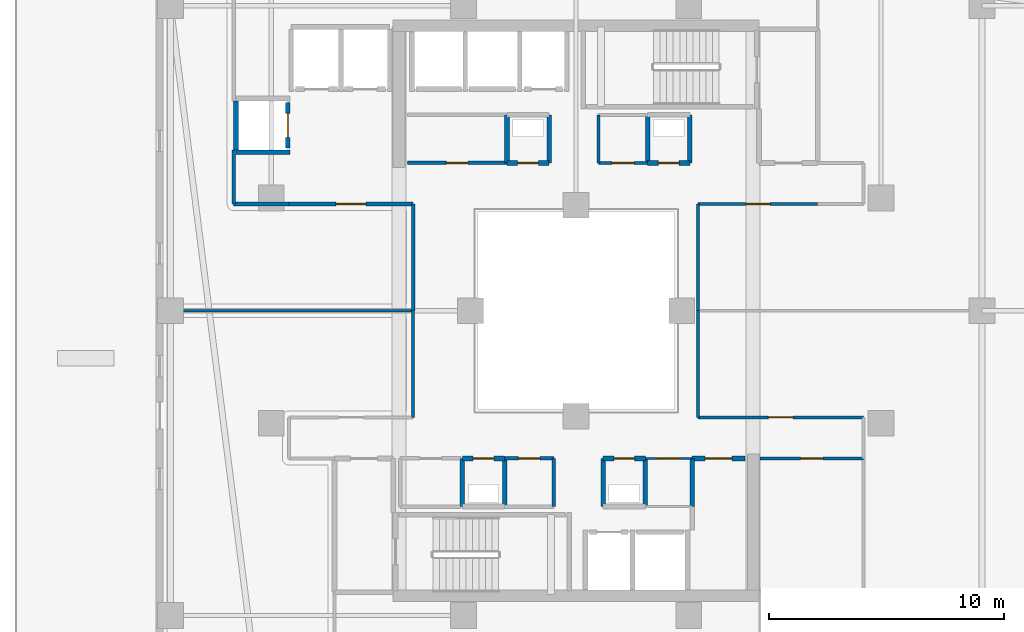
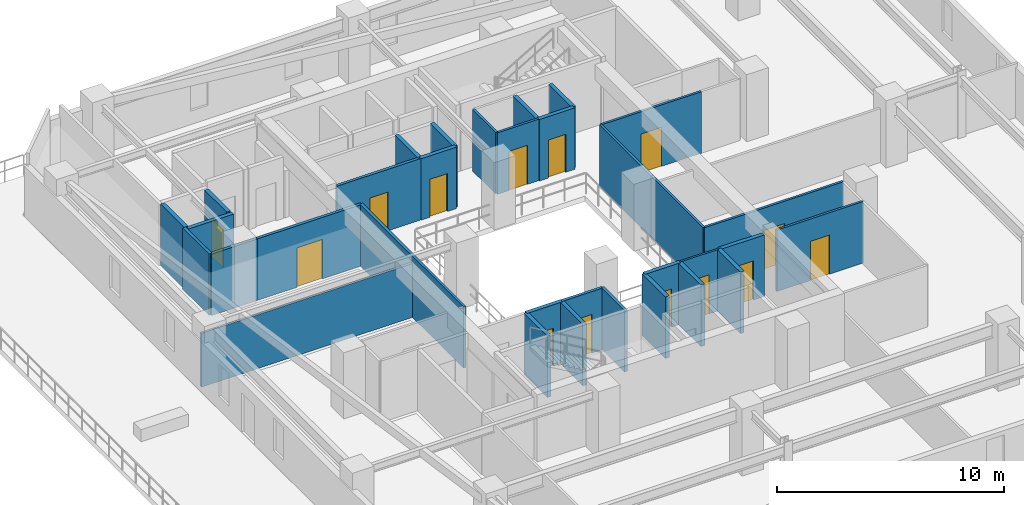
# One storey, part 19 of 30: 34 walls, 14 doors, 14 openings.
"""IFC4 building model written with IfcOpenShell, lengths in metres."""

from ifc_helpers import new_model, si_unit, direction, frame, frame_2d, origin, place, context, subcontext, project, spatial, rectangle, extrude, material, layer, layer_set, type_object, element, fill, save


model = new_model("IFC4")

# Units and contexts
model_context = context("Model", 3, precision=1e-05, world=origin(), true_north=direction((0.0, 1.0)))
body_context = subcontext(model_context, "Body", "Model", "MODEL_VIEW")
ifc_project = project(units=[si_unit("LENGTHUNIT", "METRE"), si_unit("AREAUNIT", "SQUARE_METRE"), si_unit("VOLUMEUNIT", "CUBIC_METRE"), si_unit("PLANEANGLEUNIT", "RADIAN"), si_unit("MASSUNIT", "GRAM", prefix="KILO")], contexts=[model_context])

# Site, building, storey
site_placement = place(None, origin())
site = spatial("IfcSite", under=ifc_project, at=site_placement, CompositionType="ELEMENT")
building_placement = place(site_placement, origin())
building = spatial("IfcBuilding", under=site, at=building_placement, Name="Thornwick Lancets Civic Towers", CompositionType="ELEMENT")
storey_placement = place(building_placement, frame((0.0, 0.0, 149.10009765625)))
storey = spatial("IfcBuildingStorey", under=building, at=storey_placement, Name="L39", CompositionType="ELEMENT", Elevation=149.10009765625)

# Wall, opening, door
ifc_material_1 = material(Name="Concrete blockwork C40/50", Category="masonry")
ifc_layer_1 = layer(ifc_material_1, 0.199951171875, Name="Concrete blockwork C40/50")
ifc_layer_set_1 = layer_set([ifc_layer_1], Name="Concrete blockwork C40/50")
wall_type_1 = type_object("IfcWallType", Name="WALL_COMP_200", PredefinedType="STANDARD", material=ifc_layer_set_1)
wall_1_placement = place(storey_placement, frame((13.199951171875, 33.929931640625, 0.0), z_axis=(0.0, 0.0, 1.0), x_axis=(0.0, 1.0, 0.0)))
wall_1 = element("IfcWall", 1, at=wall_1_placement, inside=storey, type_object=wall_type_1, Name="L39 Hoistway Front Wall PL-AM3", PredefinedType="STANDARD", context=body_context, shape_type="SweptSolid", body=[
    extrude(rectangle(XDim=1.940185546875, YDim=0.199951171875, at=frame_2d((0.97021484375, 0.0))), origin(), (0.0, 0.0, 1.0), 3.2998046875),
])
opening_1_placement = place(wall_1_placement, frame((0.4599609375, 0.0, 0.0)))
opening_1 = element("IfcOpeningElement", 2, at=opening_1_placement, cuts=wall_1, Name="Opening LD-PL-AM3", PredefinedType="OPENING", context=body_context, shape_type="SweptSolid", body=[
    extrude(rectangle(XDim=1.02001953125, YDim=2.06005859375, at=frame_2d((0.510009765625, 1.030029296875))), frame((0.0, 0.10986328125, 0.0), z_axis=(0.0, -1.0, 0.0), x_axis=(1.0, 0.0, 0.0)), (0.0, 0.0, 1.0), 0.219970703125),
])
ifc_material_2 = material(Name="Brushed bronze stainless steel", Category="steel")
door_type_1 = type_object("IfcDoorType", Name="DOOR_LIFT_SLIDE", OperationType="SLIDING_TO_LEFT", PredefinedType="DOOR", material=ifc_material_2)
door_1_placement = place(opening_1_placement, origin())
door_1 = element("IfcDoor", 3, at=door_1_placement, inside=storey, type_object=door_type_1, Name="L39 Sliding Lift Landing Door LD-PL-AM3", OperationType="SLIDING_TO_LEFT", OverallHeight=2.06005859375, OverallWidth=1.02001953125, PredefinedType="DOOR", context=body_context, shape_type="SweptSolid", body=[
    extrude(rectangle(XDim=1.02001953125, YDim=2.06005859375, at=frame_2d((0.510009765625, 1.030029296875))), frame((0.0, 0.02490234375, 0.0), z_axis=(0.0, -1.0, 0.0), x_axis=(1.0, 0.0, 0.0)), (0.0, 0.0, 1.0), 0.050048828125),
])
fill(opening_1, door_1)

# Walls
wall_2_placement = place(storey_placement, frame((11.001953125, 33.75, 0.0), z_axis=(0.0, 0.0, 1.0), x_axis=(1.0, 0.0, 0.0)))
element("IfcWall", 4, at=wall_2_placement, inside=storey, type_object=wall_type_1, Name="L39 Hoistway Shaft Wall PL-AM3 S", PredefinedType="STANDARD", context=body_context, shape_type="SweptSolid", body=[
    extrude(rectangle(XDim=2.296142578125, YDim=0.199951171875, at=frame_2d((1.14794921875, 0.0))), origin(), (0.0, 0.0, 1.0), 3.2998046875),
])
wall_3_placement = place(storey_placement, frame((11.0, 33.862060546875, 0.0), z_axis=(0.0, 0.0, 1.0), x_axis=(0.0, 1.0, 0.0)))
element("IfcWall", 5, at=wall_3_placement, inside=storey, type_object=wall_type_1, Name="L39 Hoistway Shaft Wall PL-AM3 W", PredefinedType="STANDARD", context=body_context, shape_type="SweptSolid", body=[
    extrude(rectangle(XDim=2.075927734375, YDim=0.199951171875, at=frame_2d((1.0380859375, 0.0))), origin(), (0.0, 0.0, 1.0), 3.2998046875),
])
wall_4_placement = place(storey_placement, frame((28.449951171875, 18.64990234375, 0.0), z_axis=(0.0, 0.0, 1.0), x_axis=(0.0, 1.0, 0.0)))
element("IfcWall", 6, at=wall_4_placement, inside=storey, type_object=wall_type_1, Name="L39 Partition L39-A-DUCT1 E2", PredefinedType="STANDARD", context=body_context, shape_type="SweptSolid", body=[
    extrude(rectangle(XDim=2.050048828125, YDim=0.199951171875, at=frame_2d((1.02490234375, 0.0))), origin(), (0.0, 0.0, 1.0), 3.2998046875),
])

# Wall, opening, door
wall_5_placement = place(storey_placement, frame((28.449951171875, 20.699951171875, 0.0), z_axis=(0.0, 0.0, 1.0), x_axis=(-1.0, 0.0, 0.0)))
wall_5 = element("IfcWall", 7, at=wall_5_placement, inside=storey, type_object=wall_type_1, Name="L39 Partition L39-A-DUCT1 E3", PredefinedType="STANDARD", context=body_context, shape_type="SweptSolid", body=[
    extrude(rectangle(XDim=1.800048828125, YDim=0.199951171875, at=frame_2d((0.89990234375, 0.0))), origin(), (0.0, 0.0, 1.0), 3.2998046875),
])
opening_2_placement = place(wall_5_placement, frame((0.4599609375, 0.0, 0.0)))
opening_2 = element("IfcOpeningElement", 8, at=opening_2_placement, cuts=wall_5, Name="Opening D-L39-1757", PredefinedType="OPENING", context=body_context, shape_type="SweptSolid", body=[
    extrude(rectangle(XDim=0.8798828125, YDim=2.0400390625, at=frame_2d((0.43994140625, 1.02001953125))), frame((0.0, 0.10986328125, 0.0), z_axis=(0.0, -1.0, 0.0), x_axis=(1.0, 0.0, 0.0)), (0.0, 0.0, 1.0), 0.219970703125),
])
ifc_material_3 = material(Name="Steel riser access doorset", Category="steel")
door_type_2 = type_object("IfcDoorType", Name="DOOR_RISER_850", OperationType="NOTDEFINED", PredefinedType="DOOR", material=ifc_material_3)
door_2_placement = place(opening_2_placement, origin())
door_2 = element("IfcDoor", 9, at=door_2_placement, inside=storey, type_object=door_type_2, Name="L39 South Service Duct 1 Door", OperationType="SINGLE_SWING_RIGHT", OverallHeight=2.0400390625, OverallWidth=0.8798828125, PredefinedType="DOOR", context=body_context, shape_type="SweptSolid", body=[
    extrude(rectangle(XDim=0.8798828125, YDim=2.0400390625, at=frame_2d((0.43994140625, 1.02001953125))), frame((0.0, 0.02490234375, 0.0), z_axis=(0.0, -1.0, 0.0), x_axis=(1.0, 0.0, 0.0)), (0.0, 0.0, 1.0), 0.050048828125),
])
fill(opening_2, door_2)

# Walls
for number, where, z_axis, x_axis, name in (
    (10, (26.64990234375, 20.699951171875, 0.0), (0.0, 0.0, 1.0), (0.0, -1.0, 0.0), "L39 Partition L39-A-DUCT1 E4"),
    (11, (22.449951171875, 18.64990234375, 0.0), (0.0, 0.0, 1.0), (0.0, 1.0, 0.0), "L39 Partition L39-A-RISER1 E2"),
):
    element("IfcWall", number, at=place(storey_placement, frame(where, z_axis=z_axis, x_axis=x_axis)), inside=storey, type_object=wall_type_1, Name=name, PredefinedType="STANDARD", context=body_context, shape_type="SweptSolid", body=[
        extrude(rectangle(XDim=2.050048828125, YDim=0.199951171875, at=frame_2d((1.02490234375, 0.0))), origin(), (0.0, 0.0, 1.0), 3.2998046875),
    ])

# Wall, opening, door
wall_6_placement = place(storey_placement, frame((22.449951171875, 20.699951171875, 0.0), z_axis=(0.0, 0.0, 1.0), x_axis=(-1.0, 0.0, 0.0)))
wall_6 = element("IfcWall", 12, at=wall_6_placement, inside=storey, type_object=wall_type_1, Name="L39 Partition L39-A-RISER1 E3", PredefinedType="STANDARD", context=body_context, shape_type="SweptSolid", body=[
    extrude(rectangle(XDim=1.800048828125, YDim=0.199951171875, at=frame_2d((0.89990234375, 0.0))), origin(), (0.0, 0.0, 1.0), 3.2998046875),
])
opening_3_placement = place(wall_6_placement, frame((0.4599609375, 0.0, 0.0)))
opening_3 = element("IfcOpeningElement", 13, at=opening_3_placement, cuts=wall_6, Name="Opening D-L39-1758", PredefinedType="OPENING", context=body_context, shape_type="SweptSolid", body=[
    extrude(rectangle(XDim=0.8798828125, YDim=2.0400390625, at=frame_2d((0.43994140625, 1.02001953125))), frame((0.0, 0.10986328125, 0.0), z_axis=(0.0, -1.0, 0.0), x_axis=(1.0, 0.0, 0.0)), (0.0, 0.0, 1.0), 0.219970703125),
])
door_3_placement = place(opening_3_placement, origin())
door_3 = element("IfcDoor", 14, at=door_3_placement, inside=storey, type_object=door_type_2, Name="L39 South Electrical Riser 1 Door", OperationType="SINGLE_SWING_LEFT", OverallHeight=2.0400390625, OverallWidth=0.8798828125, PredefinedType="DOOR", context=body_context, shape_type="SweptSolid", body=[
    extrude(rectangle(XDim=0.8798828125, YDim=2.0400390625, at=frame_2d((0.43994140625, 1.02001953125))), frame((0.0, 0.02490234375, 0.0), z_axis=(0.0, -1.0, 0.0), x_axis=(1.0, 0.0, 0.0)), (0.0, 0.0, 1.0), 0.050048828125),
])
fill(opening_3, door_3)

# Wall
wall_7_placement = place(storey_placement, frame((20.64990234375, 20.699951171875, 0.0), z_axis=(0.0, 0.0, 1.0), x_axis=(0.0, -1.0, 0.0)))
element("IfcWall", 15, at=wall_7_placement, inside=storey, type_object=wall_type_1, Name="L39 Partition L39-A-RISER1 E4", PredefinedType="STANDARD", context=body_context, shape_type="SweptSolid", body=[
    extrude(rectangle(XDim=2.050048828125, YDim=0.199951171875, at=frame_2d((1.02490234375, 0.0))), origin(), (0.0, 0.0, 1.0), 3.2998046875),
])

# Wall, opening, door
wall_8_placement = place(storey_placement, frame((22.550048828125, 33.300048828125, 0.0), z_axis=(0.0, 0.0, 1.0), x_axis=(1.0, 0.0, 0.0)))
wall_8 = element("IfcWall", 16, at=wall_8_placement, inside=storey, type_object=wall_type_1, Name="L39 Partition L39-A-DUCT2 E1", PredefinedType="STANDARD", context=body_context, shape_type="SweptSolid", body=[
    extrude(rectangle(XDim=1.800048828125, YDim=0.199951171875, at=frame_2d((0.89990234375, 0.0))), origin(), (0.0, 0.0, 1.0), 3.2998046875),
])
opening_4_placement = place(wall_8_placement, frame((0.4599609375, 0.0, 0.0)))
opening_4 = element("IfcOpeningElement", 17, at=opening_4_placement, cuts=wall_8, Name="Opening D-L39-1759", PredefinedType="OPENING", context=body_context, shape_type="SweptSolid", body=[
    extrude(rectangle(XDim=0.8798828125, YDim=2.0400390625, at=frame_2d((0.43994140625, 1.02001953125))), frame((0.0, 0.10986328125, 0.0), z_axis=(0.0, -1.0, 0.0), x_axis=(1.0, 0.0, 0.0)), (0.0, 0.0, 1.0), 0.219970703125),
])
door_4_placement = place(opening_4_placement, origin())
door_4 = element("IfcDoor", 18, at=door_4_placement, inside=storey, type_object=door_type_2, Name="L39 North Service Duct 2 Door", OperationType="SINGLE_SWING_RIGHT", OverallHeight=2.0400390625, OverallWidth=0.8798828125, PredefinedType="DOOR", context=body_context, shape_type="SweptSolid", body=[
    extrude(rectangle(XDim=0.8798828125, YDim=2.0400390625, at=frame_2d((0.43994140625, 1.02001953125))), frame((0.0, 0.02490234375, 0.0), z_axis=(0.0, -1.0, 0.0), x_axis=(1.0, 0.0, 0.0)), (0.0, 0.0, 1.0), 0.050048828125),
])
fill(opening_4, door_4)

# Walls
for number, where, z_axis, x_axis, name in (
    (19, (24.35009765625, 33.300048828125, 0.0), (0.0, 0.0, 1.0), (0.0, 1.0, 0.0), "L39 Partition L39-A-DUCT2 E2"),
    (20, (22.550048828125, 35.35009765625, 0.0), (0.0, 0.0, 1.0), (0.0, -1.0, 0.0), "L39 Partition L39-A-DUCT2 E4"),
):
    element("IfcWall", number, at=place(storey_placement, frame(where, z_axis=z_axis, x_axis=x_axis)), inside=storey, type_object=wall_type_1, Name=name, PredefinedType="STANDARD", context=body_context, shape_type="SweptSolid", body=[
        extrude(rectangle(XDim=2.050048828125, YDim=0.199951171875, at=frame_2d((1.02490234375, 0.0))), origin(), (0.0, 0.0, 1.0), 3.2998046875),
    ])

# Wall, opening, door
wall_9_placement = place(storey_placement, frame((28.550048828125, 33.300048828125, 0.0), z_axis=(0.0, 0.0, 1.0), x_axis=(1.0, 0.0, 0.0)))
wall_9 = element("IfcWall", 21, at=wall_9_placement, inside=storey, type_object=wall_type_1, Name="L39 Partition L39-A-RISER2 E1", PredefinedType="STANDARD", context=body_context, shape_type="SweptSolid", body=[
    extrude(rectangle(XDim=1.800048828125, YDim=0.199951171875, at=frame_2d((0.89990234375, 0.0))), origin(), (0.0, 0.0, 1.0), 3.2998046875),
])
opening_5_placement = place(wall_9_placement, frame((0.4599609375, 0.0, 0.0)))
opening_5 = element("IfcOpeningElement", 22, at=opening_5_placement, cuts=wall_9, Name="Opening D-L39-1760", PredefinedType="OPENING", context=body_context, shape_type="SweptSolid", body=[
    extrude(rectangle(XDim=0.8798828125, YDim=2.0400390625, at=frame_2d((0.43994140625, 1.02001953125))), frame((0.0, 0.10986328125, 0.0), z_axis=(0.0, -1.0, 0.0), x_axis=(1.0, 0.0, 0.0)), (0.0, 0.0, 1.0), 0.219970703125),
])
door_5_placement = place(opening_5_placement, origin())
door_5 = element("IfcDoor", 23, at=door_5_placement, inside=storey, type_object=door_type_2, Name="L39 North Service Riser 2 Door", OperationType="SINGLE_SWING_LEFT", OverallHeight=2.0400390625, OverallWidth=0.8798828125, PredefinedType="DOOR", context=body_context, shape_type="SweptSolid", body=[
    extrude(rectangle(XDim=0.8798828125, YDim=2.0400390625, at=frame_2d((0.43994140625, 1.02001953125))), frame((0.0, 0.02490234375, 0.0), z_axis=(0.0, -1.0, 0.0), x_axis=(1.0, 0.0, 0.0)), (0.0, 0.0, 1.0), 0.050048828125),
])
fill(opening_5, door_5)

# Walls
for number, where, z_axis, x_axis, name in (
    (24, (30.35009765625, 33.300048828125, 0.0), (0.0, 0.0, 1.0), (0.0, 1.0, 0.0), "L39 Partition L39-A-RISER2 E2"),
    (25, (28.550048828125, 35.35009765625, 0.0), (0.0, 0.0, 1.0), (0.0, -1.0, 0.0), "L39 Partition L39-A-RISER2 E4"),
    (26, (30.449951171875, 18.64990234375, 0.0), (0.0, 0.0, 1.0), (0.0, 1.0, 0.0), "L39 Partition L39-A-ITR2 E4"),
):
    element("IfcWall", number, at=place(storey_placement, frame(where, z_axis=z_axis, x_axis=x_axis)), inside=storey, type_object=wall_type_1, Name=name, PredefinedType="STANDARD", context=body_context, shape_type="SweptSolid", body=[
        extrude(rectangle(XDim=2.050048828125, YDim=0.199951171875, at=frame_2d((1.02490234375, 0.0))), origin(), (0.0, 0.0, 1.0), 3.2998046875),
    ])

# Wall, opening, door
wall_10_placement = place(storey_placement, frame((30.449951171875, 20.699951171875, 0.0), z_axis=(0.0, 0.0, 1.0), x_axis=(1.0, 0.0, 0.0)))
wall_10 = element("IfcWall", 27, at=wall_10_placement, inside=storey, type_object=wall_type_1, Name="L39 Partition L39-A-ITR2 E5", PredefinedType="STANDARD", context=body_context, shape_type="SweptSolid", body=[
    extrude(rectangle(XDim=2.25, YDim=0.199951171875, at=frame_2d((1.125, 0.0))), origin(), (0.0, 0.0, 1.0), 3.2998046875),
])
opening_6_placement = place(wall_10_placement, frame((0.550048828125, 0.0, 0.0)))
opening_6 = element("IfcOpeningElement", 28, at=opening_6_placement, cuts=wall_10, Name="Opening D-L39-1764", PredefinedType="OPENING", context=body_context, shape_type="SweptSolid", body=[
    extrude(rectangle(XDim=1.14990234375, YDim=2.10009765625, at=frame_2d((0.574951171875, 1.050048828125))), frame((0.0, 0.10986328125, 0.0), z_axis=(0.0, -1.0, 0.0), x_axis=(1.0, 0.0, 0.0)), (0.0, 0.0, 1.0), 0.219970703125),
])
ifc_material_4 = material(Name="Glazed fire-resisting steel", Category="steel")
door_type_3 = type_object("IfcDoorType", Name="DOOR_LOBBY_FD60", OperationType="NOTDEFINED", PredefinedType="DOOR", material=ifc_material_4)
door_6_placement = place(opening_6_placement, origin())
door_6 = element("IfcDoor", 29, at=door_6_placement, inside=storey, type_object=door_type_3, Name="L39 Tower A Statutory Core Archive Door", OperationType="SINGLE_SWING_LEFT", OverallHeight=2.10009765625, OverallWidth=1.14990234375, PredefinedType="DOOR", context=body_context, shape_type="SweptSolid", body=[
    extrude(rectangle(XDim=1.14990234375, YDim=2.10009765625, at=frame_2d((0.574951171875, 1.050048828125))), frame((0.0, 0.02490234375, 0.0), z_axis=(0.0, -1.0, 0.0), x_axis=(1.0, 0.0, 0.0)), (0.0, 0.0, 1.0), 0.050048828125),
])
fill(opening_6, door_6)

ifc_material_5 = material(Name="Lightweight cellular office partition")
ifc_layer_2 = layer(ifc_material_5, 0.10009765625, Name="Lightweight cellular office partition")
ifc_layer_set_2 = layer_set([ifc_layer_2], Name="Lightweight cellular office partition")
wall_type_2 = type_object("IfcWallType", Name="WALL_PART_100", PredefinedType="PARTITIONING", material=ifc_layer_set_2)
wall_11_placement = place(storey_placement, frame((28.449951171875, 20.699951171875, 0.0), z_axis=(0.0, 0.0, 1.0), x_axis=(1.0, 0.0, 0.0)))
wall_11 = element("IfcWall", 30, at=wall_11_placement, inside=storey, type_object=wall_type_2, Name="L39 Partition L39-A-CLN E4", PredefinedType="PARTITIONING", context=body_context, shape_type="SweptSolid", body=[
    extrude(rectangle(XDim=2.0, YDim=0.10009765625, at=frame_2d((1.0, 0.0))), origin(), (0.0, 0.0, 1.0), 3.2998046875),
])
opening_7_placement = place(wall_11_placement, frame((0.52490234375, 0.0, 0.0)))
opening_7 = element("IfcOpeningElement", 31, at=opening_7_placement, cuts=wall_11, Name="Opening D-L39-1763", PredefinedType="OPENING", context=body_context, shape_type="SweptSolid", body=[
    extrude(rectangle(XDim=0.949951171875, YDim=2.10009765625, at=frame_2d((0.47509765625, 1.050048828125))), frame((0.0, 0.06005859375, 0.0), z_axis=(0.0, -1.0, 0.0), x_axis=(1.0, 0.0, 0.0)), (0.0, 0.0, 1.0), 0.1201171875),
])
ifc_material_6 = material(Name="European oak acoustic doorset")
door_type_4 = type_object("IfcDoorType", Name="DOOR_OFFICE_950", OperationType="NOTDEFINED", PredefinedType="DOOR", material=ifc_material_6)
door_7_placement = place(opening_7_placement, origin())
door_7 = element("IfcDoor", 32, at=door_7_placement, inside=storey, type_object=door_type_4, Name="L39 Tower A Cleaners Store Door", OperationType="SINGLE_SWING_RIGHT", OverallHeight=2.10009765625, OverallWidth=0.949951171875, PredefinedType="DOOR", context=body_context, shape_type="SweptSolid", body=[
    extrude(rectangle(XDim=0.949951171875, YDim=2.10009765625, at=frame_2d((0.47509765625, 1.050048828125))), frame((0.0, 0.02490234375, 0.0), z_axis=(0.0, -1.0, 0.0), x_axis=(1.0, 0.0, 0.0)), (0.0, 0.0, 1.0), 0.050048828125),
])
fill(opening_7, door_7)

# Wall
ifc_material_7 = material(Name="Acoustic gypsum board partition")
ifc_layer_3 = layer(ifc_material_7, 0.1201171875, Name="Acoustic gypsum board partition")
ifc_layer_set_3 = layer_set([ifc_layer_3], Name="Acoustic gypsum board partition")
wall_type_3 = type_object("IfcWallType", Name="WALL_PART_120", PredefinedType="PARTITIONING", material=ifc_layer_set_3)
wall_12_placement = place(storey_placement, frame((26.449951171875, 33.300048828125, 0.0), z_axis=(0.0, 0.0, 1.0), x_axis=(0.0, 1.0, 0.0)))
element("IfcWall", 33, at=wall_12_placement, inside=storey, type_object=wall_type_3, Name="L39 Partition L39-A-ITR E1", PredefinedType="PARTITIONING", context=body_context, shape_type="SweptSolid", body=[
    extrude(rectangle(XDim=2.050048828125, YDim=0.1201171875, at=frame_2d((1.02490234375, 0.0))), origin(), (0.0, 0.0, 1.0), 3.2998046875),
])

# Wall, opening, door
wall_13_placement = place(storey_placement, frame((28.550048828125, 33.300048828125, 0.0), z_axis=(0.0, 0.0, 1.0), x_axis=(-1.0, 0.0, 0.0)))
wall_13 = element("IfcWall", 34, at=wall_13_placement, inside=storey, type_object=wall_type_3, Name="L39 Partition L39-A-ITR E4", PredefinedType="PARTITIONING", context=body_context, shape_type="SweptSolid", body=[
    extrude(rectangle(XDim=2.10009765625, YDim=0.1201171875, at=frame_2d((1.050048828125, 0.0))), origin(), (0.0, 0.0, 1.0), 3.2998046875),
])
opening_8_placement = place(wall_13_placement, frame((0.574951171875, 0.0, 0.0)))
opening_8 = element("IfcOpeningElement", 35, at=opening_8_placement, cuts=wall_13, Name="Opening D-L39-1766", PredefinedType="OPENING", context=body_context, shape_type="SweptSolid", body=[
    extrude(rectangle(XDim=0.949951171875, YDim=2.10009765625, at=frame_2d((0.47509765625, 1.050048828125))), frame((0.0, 0.070068359375, 0.0), z_axis=(0.0, -1.0, 0.0), x_axis=(1.0, 0.0, 0.0)), (0.0, 0.0, 1.0), 0.14013671875),
])
door_8_placement = place(opening_8_placement, origin())
door_8 = element("IfcDoor", 36, at=door_8_placement, inside=storey, type_object=door_type_4, Name="L39 Tower A Comms Patch Room Door", OperationType="SINGLE_SWING_LEFT", OverallHeight=2.10009765625, OverallWidth=0.949951171875, PredefinedType="DOOR", context=body_context, shape_type="SweptSolid", body=[
    extrude(rectangle(XDim=0.949951171875, YDim=2.10009765625, at=frame_2d((0.47509765625, 1.050048828125))), frame((0.0, 0.02490234375, 0.0), z_axis=(0.0, -1.0, 0.0), x_axis=(1.0, 0.0, 0.0)), (0.0, 0.0, 1.0), 0.050048828125),
])
fill(opening_8, door_8)

wall_14_placement = place(storey_placement, frame((33.35009765625, 20.699951171875, 0.0), z_axis=(0.0, 0.0, 1.0), x_axis=(1.0, 0.0, 0.0)))
wall_14 = element("IfcWall", 37, at=wall_14_placement, inside=storey, type_object=wall_type_3, Name="L39 Partition L39-A-RECLAIM-L1 E3", PredefinedType="PARTITIONING", context=body_context, shape_type="SweptSolid", body=[
    extrude(rectangle(XDim=4.39990234375, YDim=0.1201171875, at=frame_2d((2.199951171875, 0.0))), origin(), (0.0, 0.0, 1.0), 3.2998046875),
])
opening_9_placement = place(wall_14_placement, frame((1.72509765625, 0.0, 0.0)))
opening_9 = element("IfcOpeningElement", 38, at=opening_9_placement, cuts=wall_14, Name="Opening D-L39-1779", PredefinedType="OPENING", context=body_context, shape_type="SweptSolid", body=[
    extrude(rectangle(XDim=0.949951171875, YDim=2.10009765625, at=frame_2d((0.47509765625, 1.050048828125))), frame((0.0, 0.070068359375, 0.0), z_axis=(0.0, -1.0, 0.0), x_axis=(1.0, 0.0, 0.0)), (0.0, 0.0, 1.0), 0.14013671875),
])
door_9_placement = place(opening_9_placement, origin())
door_9 = element("IfcDoor", 39, at=door_9_placement, inside=storey, type_object=door_type_4, Name="L39 Tower A Policy Archive and Library Door", OperationType="SINGLE_SWING_RIGHT", OverallHeight=2.10009765625, OverallWidth=0.949951171875, PredefinedType="DOOR", context=body_context, shape_type="SweptSolid", body=[
    extrude(rectangle(XDim=0.949951171875, YDim=2.10009765625, at=frame_2d((0.47509765625, 1.050048828125))), frame((0.0, 0.02490234375, 0.0), z_axis=(0.0, -1.0, 0.0), x_axis=(1.0, 0.0, 0.0)), (0.0, 0.0, 1.0), 0.050048828125),
])
fill(opening_9, door_9)

# Walls
wall_15_placement = place(storey_placement, frame((18.550048828125, 27.0, 0.0), z_axis=(0.0, 0.0, 1.0), x_axis=(0.0, -1.0, 0.0)))
element("IfcWall", 40, at=wall_15_placement, inside=storey, type_object=wall_type_3, Name="L39 Partition L39-A-W1 E1", PredefinedType="PARTITIONING", context=body_context, shape_type="SweptSolid", body=[
    extrude(rectangle(XDim=4.550048828125, YDim=0.1201171875, at=frame_2d((2.27490234375, 0.0))), origin(), (0.0, 0.0, 1.0), 3.2998046875),
])
wall_16_placement = place(storey_placement, frame((7.780029296875, 27.0, 0.0), z_axis=(0.0, 0.0, 1.0), x_axis=(1.0, 0.0, 0.0)))
element("IfcWall", 41, at=wall_16_placement, inside=storey, type_object=wall_type_3, Name="L39 Partition L39-A-W1 E10", PredefinedType="PARTITIONING", context=body_context, shape_type="SweptSolid", body=[
    extrude(rectangle(XDim=10.77001953125, YDim=0.1201171875, at=frame_2d((5.385009765625, 0.0))), origin(), (0.0, 0.0, 1.0), 2.89208984375),
])

# Wall, opening, door
wall_17_placement = place(storey_placement, frame((37.75, 22.449951171875, 0.0), z_axis=(0.0, 0.0, 1.0), x_axis=(-1.0, 0.0, 0.0)))
wall_17 = element("IfcWall", 42, at=wall_17_placement, inside=storey, type_object=wall_type_3, Name="L39 Partition L39-A-E1 E6", PredefinedType="PARTITIONING", context=body_context, shape_type="SweptSolid", body=[
    extrude(rectangle(XDim=7.050048828125, YDim=0.1201171875, at=frame_2d((3.52490234375, 0.0))), origin(), (0.0, 0.0, 1.0), 3.2998046875),
])
opening_10_placement = place(wall_17_placement, frame((3.0, 0.0, 0.0)))
opening_10 = element("IfcOpeningElement", 43, at=opening_10_placement, cuts=wall_17, Name="Opening D-L39-1782", PredefinedType="OPENING", context=body_context, shape_type="SweptSolid", body=[
    extrude(rectangle(XDim=1.050048828125, YDim=2.10009765625, at=frame_2d((0.52490234375, 1.050048828125))), frame((0.0, 0.070068359375, 0.0), z_axis=(0.0, -1.0, 0.0), x_axis=(1.0, 0.0, 0.0)), (0.0, 0.0, 1.0), 0.14013671875),
])
ifc_material_8 = material(Name="Glazed European oak executive doorset")
door_type_5 = type_object("IfcDoorType", Name="DOOR_OFFICE_1050", OperationType="NOTDEFINED", PredefinedType="DOOR", material=ifc_material_8)
door_10_placement = place(opening_10_placement, origin())
door_10 = element("IfcDoor", 44, at=door_10_placement, inside=storey, type_object=door_type_5, Name="L39 Tower A Secretariat Open Office E1 Door", OperationType="SINGLE_SWING_LEFT", OverallHeight=2.10009765625, OverallWidth=1.050048828125, PredefinedType="DOOR", context=body_context, shape_type="SweptSolid", body=[
    extrude(rectangle(XDim=1.050048828125, YDim=2.10009765625, at=frame_2d((0.52490234375, 1.050048828125))), frame((0.0, 0.02490234375, 0.0), z_axis=(0.0, -1.0, 0.0), x_axis=(1.0, 0.0, 0.0)), (0.0, 0.0, 1.0), 0.050048828125),
])
fill(opening_10, door_10)

# Wall
wall_18_placement = place(storey_placement, frame((30.699951171875, 22.449951171875, 0.0), z_axis=(0.0, 0.0, 1.0), x_axis=(0.0, 1.0, 0.0)))
element("IfcWall", 45, at=wall_18_placement, inside=storey, type_object=wall_type_3, Name="L39 Partition L39-A-E1 E7", PredefinedType="PARTITIONING", context=body_context, shape_type="SweptSolid", body=[
    extrude(rectangle(XDim=4.550048828125, YDim=0.1201171875, at=frame_2d((2.27490234375, 0.0))), origin(), (0.0, 0.0, 1.0), 3.2998046875),
])

# Wall, opening, door
wall_19_placement = place(storey_placement, frame((30.699951171875, 31.550048828125, 0.0), z_axis=(0.0, 0.0, 1.0), x_axis=(1.0, 0.0, 0.0)))
wall_19 = element("IfcWall", 46, at=wall_19_placement, inside=storey, type_object=wall_type_3, Name="L39 Partition L39-A-E3 E1", PredefinedType="PARTITIONING", context=body_context, shape_type="SweptSolid", body=[
    extrude(rectangle(XDim=5.10009765625, YDim=0.1201171875, at=frame_2d((2.550048828125, 0.0))), origin(), (0.0, 0.0, 1.0), 3.2998046875),
])
opening_11_placement = place(wall_19_placement, frame((2.02490234375, 0.0, 0.0)))
opening_11 = element("IfcOpeningElement", 47, at=opening_11_placement, cuts=wall_19, Name="Opening D-L39-1783", PredefinedType="OPENING", context=body_context, shape_type="SweptSolid", body=[
    extrude(rectangle(XDim=1.050048828125, YDim=2.10009765625, at=frame_2d((0.52490234375, 1.050048828125))), frame((0.0, 0.070068359375, 0.0), z_axis=(0.0, -1.0, 0.0), x_axis=(1.0, 0.0, 0.0)), (0.0, 0.0, 1.0), 0.14013671875),
])
door_11_placement = place(opening_11_placement, origin())
door_11 = element("IfcDoor", 48, at=door_11_placement, inside=storey, type_object=door_type_5, Name="L39 Tower A Civic Seminar Room Door", OperationType="SINGLE_SWING_RIGHT", OverallHeight=2.10009765625, OverallWidth=1.050048828125, PredefinedType="DOOR", context=body_context, shape_type="SweptSolid", body=[
    extrude(rectangle(XDim=1.050048828125, YDim=2.10009765625, at=frame_2d((0.52490234375, 1.050048828125))), frame((0.0, 0.02490234375, 0.0), z_axis=(0.0, -1.0, 0.0), x_axis=(1.0, 0.0, 0.0)), (0.0, 0.0, 1.0), 0.050048828125),
])
fill(opening_11, door_11)

# Walls
wall_20_placement = place(storey_placement, frame((30.699951171875, 27.0, 0.0), z_axis=(0.0, 0.0, 1.0), x_axis=(0.0, 1.0, 0.0)))
element("IfcWall", 49, at=wall_20_placement, inside=storey, type_object=wall_type_3, Name="L39 Partition L39-A-E3 E11", PredefinedType="PARTITIONING", context=body_context, shape_type="SweptSolid", body=[
    extrude(rectangle(XDim=4.550048828125, YDim=0.1201171875, at=frame_2d((2.27490234375, 0.0))), origin(), (0.0, 0.0, 1.0), 3.2998046875),
])
ifc_material_9 = material(Name="Twin-stud acoustic gypsum board")
ifc_layer_4 = layer(ifc_material_9, 0.14990234375, Name="Twin-stud acoustic gypsum board")
ifc_layer_set_4 = layer_set([ifc_layer_4], Name="Twin-stud acoustic gypsum board")
wall_type_4 = type_object("IfcWallType", Name="WALL_PART_150", PredefinedType="PARTITIONING", material=ifc_layer_set_4)
wall_21_placement = place(storey_placement, frame((24.550048828125, 20.699951171875, 0.0), z_axis=(0.0, 0.0, 1.0), x_axis=(0.0, -1.0, 0.0)))
element("IfcWall", 50, at=wall_21_placement, inside=storey, type_object=wall_type_4, Name="L39 Partition L39-A-AWC E1", PredefinedType="PARTITIONING", context=body_context, shape_type="SweptSolid", body=[
    extrude(rectangle(XDim=2.050048828125, YDim=0.14990234375, at=frame_2d((1.02490234375, 0.0))), origin(), (0.0, 0.0, 1.0), 3.2998046875),
])

# Wall, opening, door
wall_22_placement = place(storey_placement, frame((22.449951171875, 20.699951171875, 0.0), z_axis=(0.0, 0.0, 1.0), x_axis=(1.0, 0.0, 0.0)))
wall_22 = element("IfcWall", 51, at=wall_22_placement, inside=storey, type_object=wall_type_4, Name="L39 Partition L39-A-AWC E4", PredefinedType="PARTITIONING", context=body_context, shape_type="SweptSolid", body=[
    extrude(rectangle(XDim=2.10009765625, YDim=0.14990234375, at=frame_2d((1.050048828125, 0.0))), origin(), (0.0, 0.0, 1.0), 3.2998046875),
])
opening_12_placement = place(wall_22_placement, frame((0.590087890625, 0.0, 0.0)))
opening_12 = element("IfcOpeningElement", 52, at=opening_12_placement, cuts=wall_22, Name="Opening D-L39-1762", PredefinedType="OPENING", context=body_context, shape_type="SweptSolid", body=[
    extrude(rectangle(XDim=0.919921875, YDim=2.080078125, at=frame_2d((0.4599609375, 1.0400390625))), frame((0.0, 0.0849609375, 0.0), z_axis=(0.0, -1.0, 0.0), x_axis=(1.0, 0.0, 0.0)), (0.0, 0.0, 1.0), 0.169921875),
])
ifc_material_10 = material(Name="Moisture-resistant oak doorset")
door_type_6 = type_object("IfcDoorType", Name="DOOR_WC_900", OperationType="NOTDEFINED", PredefinedType="DOOR", material=ifc_material_10)
door_12_placement = place(opening_12_placement, origin())
door_12 = element("IfcDoor", 53, at=door_12_placement, inside=storey, type_object=door_type_6, Name="L39 Tower A Accessible WC Door", OperationType="SINGLE_SWING_LEFT", OverallHeight=2.080078125, OverallWidth=0.919921875, PredefinedType="DOOR", context=body_context, shape_type="SweptSolid", body=[
    extrude(rectangle(XDim=0.919921875, YDim=2.080078125, at=frame_2d((0.4599609375, 1.0400390625))), frame((0.0, 0.02490234375, 0.0), z_axis=(0.0, -1.0, 0.0), x_axis=(1.0, 0.0, 0.0)), (0.0, 0.0, 1.0), 0.050048828125),
])
fill(opening_12, door_12)

wall_23_placement = place(storey_placement, frame((22.550048828125, 33.300048828125, 0.0), z_axis=(0.0, 0.0, 1.0), x_axis=(-1.0, 0.0, 0.0)))
wall_23 = element("IfcWall", 54, at=wall_23_placement, inside=storey, type_object=wall_type_4, Name="L39 Partition L39-A-FWC E4", PredefinedType="PARTITIONING", context=body_context, shape_type="SweptSolid", body=[
    extrude(rectangle(XDim=4.25, YDim=0.14990234375, at=frame_2d((2.125, 0.0))), origin(), (0.0, 0.0, 1.0), 3.2998046875),
])
opening_13_placement = place(wall_23_placement, frame((1.6650390625, 0.0, 0.0)))
opening_13 = element("IfcOpeningElement", 55, at=opening_13_placement, cuts=wall_23, Name="Opening D-L39-1765", PredefinedType="OPENING", context=body_context, shape_type="SweptSolid", body=[
    extrude(rectangle(XDim=0.919921875, YDim=2.080078125, at=frame_2d((0.4599609375, 1.0400390625))), frame((0.0, 0.0849609375, 0.0), z_axis=(0.0, -1.0, 0.0), x_axis=(1.0, 0.0, 0.0)), (0.0, 0.0, 1.0), 0.169921875),
])
door_13_placement = place(opening_13_placement, origin())
door_13 = element("IfcDoor", 56, at=door_13_placement, inside=storey, type_object=door_type_6, Name="L39 Tower A Female WC Door", OperationType="SINGLE_SWING_RIGHT", OverallHeight=2.080078125, OverallWidth=0.919921875, PredefinedType="DOOR", context=body_context, shape_type="SweptSolid", body=[
    extrude(rectangle(XDim=0.919921875, YDim=2.080078125, at=frame_2d((0.4599609375, 1.0400390625))), frame((0.0, 0.02490234375, 0.0), z_axis=(0.0, -1.0, 0.0), x_axis=(1.0, 0.0, 0.0)), (0.0, 0.0, 1.0), 0.050048828125),
])
fill(opening_13, door_13)

wall_24_placement = place(storey_placement, frame((13.25, 31.550048828125, 0.0), z_axis=(0.0, 0.0, 1.0), x_axis=(1.0, 0.0, 0.0)))
wall_24 = element("IfcWall", 57, at=wall_24_placement, inside=storey, type_object=wall_type_4, Name="L39 Partition L39-A-W2 E1", PredefinedType="PARTITIONING", context=body_context, shape_type="SweptSolid", body=[
    extrude(rectangle(XDim=5.300048828125, YDim=0.14990234375, at=frame_2d((2.64990234375, 0.0))), origin(), (0.0, 0.0, 1.0), 3.2998046875),
])
opening_14_placement = place(wall_24_placement, frame((2.0, 0.0, 0.0)))
opening_14 = element("IfcOpeningElement", 58, at=opening_14_placement, cuts=wall_24, Name="Opening D-L39-1781", PredefinedType="OPENING", context=body_context, shape_type="SweptSolid", body=[
    extrude(rectangle(XDim=1.300048828125, YDim=2.1201171875, at=frame_2d((0.64990234375, 1.06005859375))), frame((0.0, 0.0849609375, 0.0), z_axis=(0.0, -1.0, 0.0), x_axis=(1.0, 0.0, 0.0)), (0.0, 0.0, 1.0), 0.169921875),
])
ifc_material_11 = material(Name="Acoustic oak leaf-and-a-half doorset")
door_type_7 = type_object("IfcDoorType", Name="DOOR_MEET_1300", OperationType="DOUBLE_DOOR_SINGLE_SWING", PredefinedType="DOOR", material=ifc_material_11)
door_14_placement = place(opening_14_placement, origin())
door_14 = element("IfcDoor", 59, at=door_14_placement, inside=storey, type_object=door_type_7, Name="L39 Tower A Policy Briefing Room W2 Door", OperationType="DOUBLE_DOOR_SINGLE_SWING", OverallHeight=2.1201171875, OverallWidth=1.300048828125, PredefinedType="DOOR", context=body_context, shape_type="SweptSolid", body=[
    extrude(rectangle(XDim=1.300048828125, YDim=2.1201171875, at=frame_2d((0.64990234375, 1.06005859375))), frame((0.0, 0.02490234375, 0.0), z_axis=(0.0, -1.0, 0.0), x_axis=(1.0, 0.0, 0.0)), (0.0, 0.0, 1.0), 0.050048828125),
])
fill(opening_14, door_14)

# Walls
wall_25_placement = place(storey_placement, frame((18.550048828125, 31.550048828125, 0.0), z_axis=(0.0, 0.0, 1.0), x_axis=(0.0, -1.0, 0.0)))
element("IfcWall", 60, at=wall_25_placement, inside=storey, type_object=wall_type_4, Name="L39 Partition L39-A-W2 E2", PredefinedType="PARTITIONING", context=body_context, shape_type="SweptSolid", body=[
    extrude(rectangle(XDim=4.550048828125, YDim=0.14990234375, at=frame_2d((2.27490234375, 0.0))), origin(), (0.0, 0.0, 1.0), 3.2998046875),
])
wall_26_placement = place(storey_placement, frame((10.89990234375, 33.862060546875, 0.0), z_axis=(0.0, 0.0, 1.0), x_axis=(0.0, -1.0, 0.0)))
element("IfcWall", 61, at=wall_26_placement, inside=storey, type_object=wall_type_4, Name="L39 Partition L39-A-W2 E7", PredefinedType="PARTITIONING", context=body_context, shape_type="SweptSolid", body=[
    extrude(rectangle(XDim=2.31201171875, YDim=0.14990234375, at=frame_2d((1.156005859375, 0.0))), origin(), (0.0, 0.0, 1.0), 3.2998046875),
])
wall_27_placement = place(storey_placement, frame((10.89990234375, 31.550048828125, 0.0), z_axis=(0.0, 0.0, 1.0), x_axis=(1.0, 0.0, 0.0)))
element("IfcWall", 62, at=wall_27_placement, inside=storey, type_object=wall_type_4, Name="L39 Partition L39-A-W2 E8", PredefinedType="PARTITIONING", context=body_context, shape_type="SweptSolid", body=[
    extrude(rectangle(XDim=2.35009765625, YDim=0.14990234375, at=frame_2d((1.175048828125, 0.0))), origin(), (0.0, 0.0, 1.0), 3.2998046875),
])

save(model, "model.ifc")
